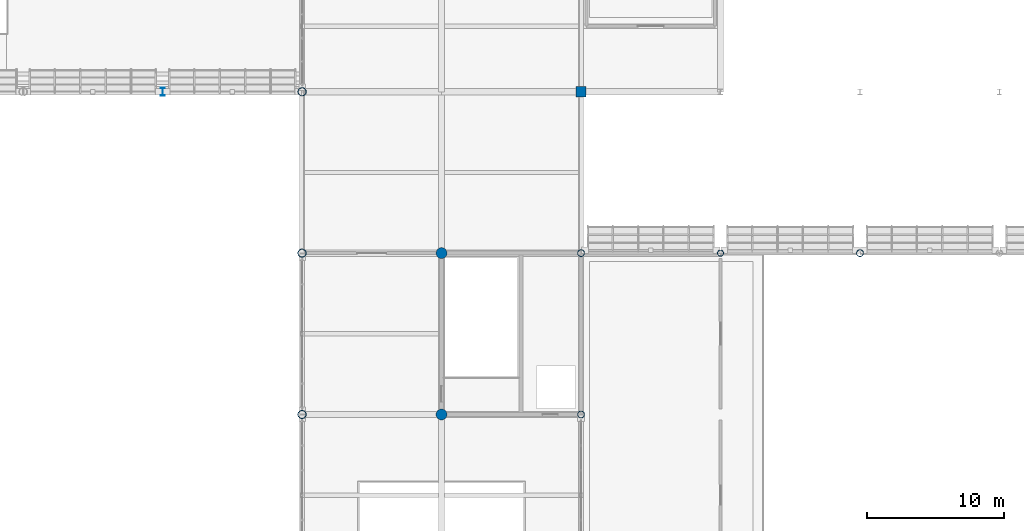
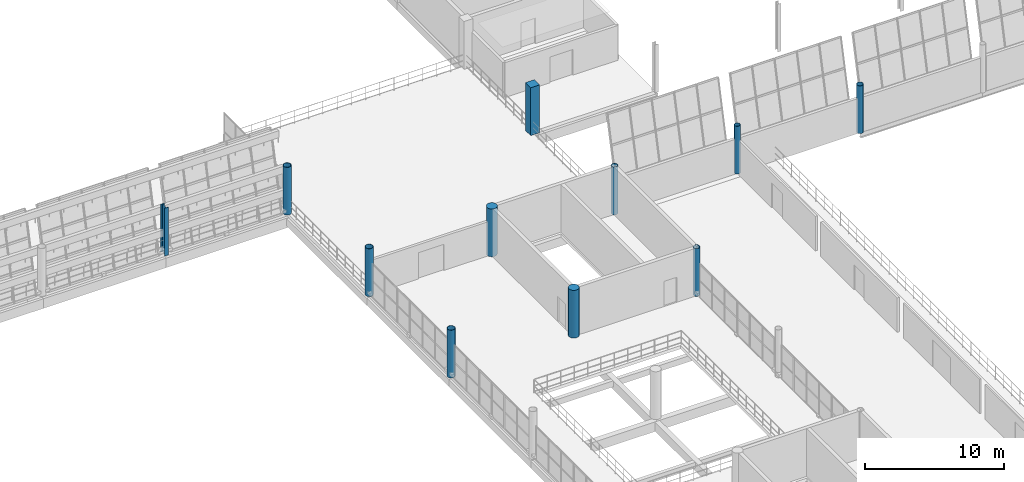
# One storey, part 13 of 157: 11 columns.
"""IFC4 building model written with IfcOpenShell, lengths in metres."""

import ifcopenshell
import ifcopenshell.guid

model = None  # the IFC model being written
_history = None  # IfcOwnerHistory: only IFC2X3 demands one
_inside = {}  # id of a spatial element -> (the spatial element, [elements in it])
_under = {}  # id of a project, library or spatial element -> (it, [spatial elements below it])
_declared = {}  # id of a project -> (the project, [libraries it declares])
_typed = {}  # id of a type object -> (the type object, [elements of that type])
_made_of = {}  # id of a material, layer set ... -> (it, [elements and type objects made of it])


def new_model(schema):
    """Start an empty IFC model of exactly this schema.

    Asked for "IFC4X3", IfcOpenShell would pick the latest addendum, in which some entities
    have other attributes; the version numbers below select the first issue.
    IFC2X3 requires an IfcOwnerHistory on every rooted entity: one is made here for all.
    """
    global model, _history
    if schema == "IFC4X3":
        model = ifcopenshell.file(schema_version=(4, 3, 0, 0))
    else:
        model = ifcopenshell.file(schema=schema)
    _inside.clear()
    _under.clear()
    _declared.clear()
    _typed.clear()
    _made_of.clear()
    _history = None
    if model.schema == "IFC2X3":
        org = make("IfcOrganization", Name="unknown")
        user = make(
            "IfcPersonAndOrganization",
            ThePerson=make("IfcPerson", FamilyName="unknown"),
            TheOrganization=org,
        )
        app = make(
            "IfcApplication",
            ApplicationDeveloper=org,
            Version="unknown",
            ApplicationFullName="unknown",
            ApplicationIdentifier="unknown",
        )
        _history = make(
            "IfcOwnerHistory",
            OwningUser=user,
            OwningApplication=app,
            ChangeAction="ADDED",
            CreationDate=0,
        )
    return model


def make(cls, **values):
    """One entity of the class cls with the attributes given. An attribute that is None is left unset."""
    return model.create_entity(
        cls, **{name: value for name, value in values.items() if value is not None}
    )


def rooted(cls, **values):
    """An entity with a GlobalId (a new one), such as an element, a storey or a relation."""
    return make(cls, GlobalId=ifcopenshell.guid.new(), OwnerHistory=_history, **values)


def si_unit(unit_type, name, prefix=None):
    """IfcSIUnit, for example si_unit("LENGTHUNIT", "METRE", prefix="MILLI")."""
    return make("IfcSIUnit", UnitType=unit_type, Prefix=prefix, Name=name)


def assignment(units):
    """IfcUnitAssignment: the units of a project."""
    return None if units is None else make("IfcUnitAssignment", Units=units)


def point(xyz):
    """IfcCartesianPoint."""
    return None if xyz is None else make("IfcCartesianPoint", Coordinates=xyz)


def direction(xyz):
    """IfcDirection."""
    return None if xyz is None else make("IfcDirection", DirectionRatios=xyz)


def frame(location, z_axis=None, x_axis=None):
    """IfcAxis2Placement3D, a coordinate frame: its origin and axes. An axis left out is left unset."""
    return make(
        "IfcAxis2Placement3D",
        Location=point(location),
        Axis=direction(z_axis),
        RefDirection=direction(x_axis),
    )


def frame_2d(location, x_axis=None):
    """IfcAxis2Placement2D, a coordinate frame in the plane: its origin and x axis."""
    return make(
        "IfcAxis2Placement2D", Location=point(location), RefDirection=direction(x_axis)
    )


def origin():
    """The frame at (0, 0, 0) with its axes left unset."""
    return frame((0.0, 0.0, 0.0))


def origin_2d():
    """The frame at (0, 0) in the plane with its x axis left unset."""
    return frame_2d((0.0, 0.0))


def place(relative_to, where):
    """IfcLocalPlacement: puts the frame where relative to a parent placement (None: the world)."""
    return make(
        "IfcLocalPlacement", PlacementRelTo=relative_to, RelativePlacement=where
    )


def context(
    kind, dimensions, precision=None, world=None, true_north=None, identifier=None
):
    """IfcGeometricRepresentationContext, for example the 3D "Model" context."""
    return make(
        "IfcGeometricRepresentationContext",
        ContextIdentifier=identifier,
        ContextType=kind,
        CoordinateSpaceDimension=dimensions,
        Precision=precision,
        WorldCoordinateSystem=world,
        TrueNorth=true_north,
    )


def subcontext(parent, identifier, kind, view, scale=None):
    """IfcGeometricRepresentationSubContext, for example "Body" below "Model"."""
    return make(
        "IfcGeometricRepresentationSubContext",
        ContextIdentifier=identifier,
        ContextType=kind,
        ParentContext=parent,
        TargetScale=scale,
        TargetView=view,
    )


def project(units=None, contexts=None):
    """IfcProject with its units and contexts."""
    return rooted(
        "IfcProject",
        Name="project",
        RepresentationContexts=contexts,
        UnitsInContext=assignment(units),
    )


def spatial(cls, under=None, at=None, **own):
    """A site, building, storey or space (cls), placed at a placement, below another one or the project."""
    s = rooted(cls, ObjectPlacement=at, **own)
    if under is not None:
        _under.setdefault(under.id(), (under, []))[1].append(s)
    return s


def profile(cls, at=None, kind="AREA", **sizes):
    """A parametric profile (cls). Its sizes go by their IFC names, for example OverallWidth=200.0."""
    return make(cls, ProfileType=kind, Position=at, **sizes)


def rectangle(**sizes):
    """IfcRectangleProfileDef."""
    return profile("IfcRectangleProfileDef", **sizes)


def circle(**sizes):
    """IfcCircleProfileDef."""
    return profile("IfcCircleProfileDef", **sizes)


def hollow_circle(**sizes):
    """IfcCircleHollowProfileDef."""
    return profile("IfcCircleHollowProfileDef", **sizes)


def i_section(**sizes):
    """IfcIShapeProfileDef."""
    return profile("IfcIShapeProfileDef", **sizes)


def extrude(swept, where, along, depth):
    """IfcExtrudedAreaSolid: the profile swept, set in the frame where, extruded along a direction by depth."""
    return make(
        "IfcExtrudedAreaSolid",
        SweptArea=swept,
        Position=where,
        ExtrudedDirection=direction(along),
        Depth=depth,
    )


def shape(context_of_items, identifier, shape_type, items):
    """IfcShapeRepresentation: the items that make up one representation, for example the "Body"."""
    return make(
        "IfcShapeRepresentation",
        ContextOfItems=context_of_items,
        RepresentationIdentifier=identifier,
        RepresentationType=shape_type,
        Items=items,
    )


def material(Name=None, Category=None):
    """IfcMaterial."""
    return make("IfcMaterial", Name=Name, Category=Category)


def material_profile(
    of_material, cross_section, Name=None, Category=None, Priority=None
):
    """IfcMaterialProfile: a cross section and its material."""
    return make(
        "IfcMaterialProfile",
        Name=Name,
        Material=of_material,
        Profile=cross_section,
        Priority=Priority,
        Category=Category,
    )


def profile_set(profiles, Name=None, composite=None):
    """IfcMaterialProfileSet."""
    return make(
        "IfcMaterialProfileSet",
        Name=Name,
        MaterialProfiles=profiles,
        CompositeProfile=composite,
    )


def made_of(thing, what):
    """Note that an element or type object is made of a material, layer set ...; save() writes the relation."""
    if what is not None:
        _made_of.setdefault(what.id(), (what, []))[1].append(thing)
    return thing


def type_object(cls, material=None, **own):
    """A type object (cls), such as IfcWallType, which elements share."""
    return made_of(rooted(cls, **own), material)


def element(
    cls,
    number,
    at=None,
    inside=None,
    cuts=None,
    type_object=None,
    material=None,
    context=None,
    identifier="Body",
    shape_type=None,
    held_by="IfcProductDefinitionShape",
    body=None,
    shapes=None,
    **own,
):
    """One element of the class cls, such as IfcWall. Its Tag is "e" and its number.

    at: its placement. inside: the storey or other place that contains it. cuts: it is an
    opening in that element (IfcRelVoidsElement). A single representation is given by context,
    identifier, shape_type and body (its items); several are given by shapes. held_by: the class
    of the entity that holds the representations. save() writes the other relations.
    """
    e = rooted(cls, Tag="e%d" % number, ObjectPlacement=at, **own)
    if body is not None:
        shapes = [shape(context, identifier, shape_type, body)]
    if shapes is not None:
        e.Representation = make(held_by, Representations=shapes)
    if inside is not None:
        _inside.setdefault(inside.id(), (inside, []))[1].append(e)
    if cuts is not None:
        rooted(
            "IfcRelVoidsElement", RelatingBuildingElement=cuts, RelatedOpeningElement=e
        )
    if type_object is not None:
        _typed.setdefault(type_object.id(), (type_object, []))[1].append(e)
    return made_of(e, material)


def aggregate(whole, parts):
    """IfcRelAggregates: a whole, such as a stair, and the parts it consists of."""
    return rooted("IfcRelAggregates", RelatingObject=whole, RelatedObjects=parts)


def save(model, path):
    """Write the relations noted so far, then the file.

    IfcRelAggregates (storeys below a building ...), IfcRelContainedInSpatialStructure (elements
    in a storey), IfcRelDefinesByType, IfcRelAssociatesMaterial and IfcRelDeclares: one each for
    every whole, place, type object, material and project.
    """
    for whole, parts in _under.values():
        aggregate(whole, parts)
    for where, things in _inside.values():
        rooted(
            "IfcRelContainedInSpatialStructure",
            RelatedElements=things,
            RelatingStructure=where,
        )
    for kind, things in _typed.values():
        rooted("IfcRelDefinesByType", RelatedObjects=things, RelatingType=kind)
    for what, things in _made_of.values():
        rooted("IfcRelAssociatesMaterial", RelatedObjects=things, RelatingMaterial=what)
    for by, libraries in _declared.values():
        rooted("IfcRelDeclares", RelatingContext=by, RelatedDefinitions=libraries)
    model.write(path)


model = new_model("IFC4")

# Units and contexts
model_context = context("Model", 3, precision=1e-05, world=origin(), true_north=direction((0.0, 1.0)))
body_context = subcontext(model_context, "Body", "Model", "MODEL_VIEW")
ifc_project = project(units=[si_unit("LENGTHUNIT", "METRE"), si_unit("AREAUNIT", "SQUARE_METRE"), si_unit("VOLUMEUNIT", "CUBIC_METRE"), si_unit("PLANEANGLEUNIT", "RADIAN"), si_unit("MASSUNIT", "GRAM", prefix="KILO")], contexts=[model_context])

# Site, building, storey
site_placement = place(None, origin())
site = spatial("IfcSite", under=ifc_project, at=site_placement, CompositionType="ELEMENT")
building_placement = place(site_placement, origin())
building = spatial("IfcBuilding", under=site, at=building_placement, Name="Brelvane Convention Centre", CompositionType="ELEMENT")
storey_placement = place(building_placement, frame((0.0, 0.0, 10.800048828125)))
storey = spatial("IfcBuildingStorey", under=building, at=storey_placement, Name="L02", CompositionType="ELEMENT", Elevation=10.800048828125)

# Columns
ifc_material_1 = material(Name="Concrete M50", Category="concrete")
ifc_material_profile_1 = material_profile(ifc_material_1, rectangle(XDim=0.75, YDim=0.75, at=origin_2d()), Name="RC 750x750")
ifc_profile_set_1 = profile_set([ifc_material_profile_1], Name="Concrete M50")
column_type_1 = type_object("IfcColumnType", Name="RC Column C-RC3 (RC 750x750)", PredefinedType="COLUMN", material=ifc_profile_set_1)
column_1_placement = place(storey_placement, frame((163.199951171875, 99.60009765625, 0.0), z_axis=(0.0, 0.0, 1.0), x_axis=(1.0, 0.0, 0.0)))
element("IfcColumn", 1, at=column_1_placement, inside=storey, type_object=column_type_1, Name="Column 17-K (L02)", PredefinedType="COLUMN", context=body_context, shape_type="SweptSolid", body=[
    extrude(rectangle(XDim=0.75, YDim=0.75, at=origin_2d()), origin(), (0.0, 0.0, 1.0), 4.199951171875),
])
ifc_material_2 = material(Name="Concrete M50", Category="concrete")
ifc_material_profile_2 = material_profile(ifc_material_2, circle(Radius=0.39990234375, at=origin_2d()), Name="RC-CIRC D800")
ifc_profile_set_2 = profile_set([ifc_material_profile_2], Name="Concrete M50")
column_type_2 = type_object("IfcColumnType", Name="RC Column C-RC7 (RC-CIRC D800)", PredefinedType="COLUMN", material=ifc_profile_set_2)
for number, where, z_axis, x_axis, name in (
    (2, (153.0, 76.0, 0.0), (0.0, 0.0, 1.0), (1.0, 0.0, 0.0), "Column 16-H (L02)"),
    (3, (153.0, 87.800048828125, 0.0), (0.0, 0.0, 1.0), (1.0, 0.0, 0.0), "Column 16-J (L02)"),
):
    element("IfcColumn", number, at=place(storey_placement, frame(where, z_axis=z_axis, x_axis=x_axis)), inside=storey, type_object=column_type_2, Name=name, PredefinedType="COLUMN", context=body_context, shape_type="SweptSolid", body=[
        extrude(circle(Radius=0.39990234375, at=origin_2d()), origin(), (0.0, 0.0, 1.0), 4.199951171875),
    ])
ifc_material_3 = material(Name="Steel E450 (450 MPa)", Category="steel")
ifc_material_profile_3 = material_profile(ifc_material_3, hollow_circle(Radius=0.304931640625, WallThickness=0.02490234375, at=origin_2d()), Name="CHS 610.0x25.0")
ifc_profile_set_3 = profile_set([ifc_material_profile_3], Name="Steel E450 (450 MPa)")
column_type_3 = type_object("IfcColumnType", Name="Steel Column C-ST1 (CHS 610.0x25.0)", PredefinedType="COLUMN", material=ifc_profile_set_3)
for number, where, z_axis, x_axis, name in (
    (4, (142.800048828125, 76.0, 0.0), (0.0, 0.0, 1.0), (1.0, 0.0, 0.0), "Column 15-H (L02)"),
    (5, (142.800048828125, 87.800048828125, 0.0), (0.0, 0.0, 1.0), (1.0, 0.0, 0.0), "Column 15-J (L02)"),
    (6, (142.800048828125, 99.60009765625, 0.0), (0.0, 0.0, 1.0), (1.0, 0.0, 0.0), "Column 15-K (L02)"),
):
    element("IfcColumn", number, at=place(storey_placement, frame(where, z_axis=z_axis, x_axis=x_axis)), inside=storey, type_object=column_type_3, Name=name, PredefinedType="COLUMN", context=body_context, shape_type="SweptSolid", body=[
        extrude(hollow_circle(Radius=0.304931640625, WallThickness=0.02490234375, at=origin_2d()), origin(), (0.0, 0.0, 1.0), 4.199951171875),
    ])
ifc_material_4 = material(Name="Steel E450 (450 MPa)", Category="steel")
ifc_material_profile_4 = material_profile(ifc_material_4, hollow_circle(Radius=0.25390625, WallThickness=0.02001953125, at=origin_2d()), Name="CHS 508.0x20.0")
ifc_profile_set_4 = profile_set([ifc_material_profile_4], Name="Steel E450 (450 MPa)")
column_type_4 = type_object("IfcColumnType", Name="Steel Column C-ST2 (CHS 508.0x20.0)", PredefinedType="COLUMN", material=ifc_profile_set_4)
for number, where, z_axis, x_axis, name in (
    (7, (163.199951171875, 76.0, 0.0), (0.0, 0.0, 1.0), (1.0, 0.0, 0.0), "Column 17-H (L02)"),
    (8, (163.199951171875, 87.800048828125, 0.0), (0.0, 0.0, 1.0), (1.0, 0.0, 0.0), "Column 17-J (L02)"),
    (9, (183.60009765625, 87.800048828125, 0.0), (0.0, 0.0, 1.0), (1.0, 0.0, 0.0), "Column 19-J (L02)"),
):
    element("IfcColumn", number, at=place(storey_placement, frame(where, z_axis=z_axis, x_axis=x_axis)), inside=storey, type_object=column_type_4, Name=name, PredefinedType="COLUMN", context=body_context, shape_type="SweptSolid", body=[
        extrude(hollow_circle(Radius=0.25390625, WallThickness=0.02001953125, at=origin_2d()), origin(), (0.0, 0.0, 1.0), 4.199951171875),
    ])
ifc_material_5 = material(Name="Steel E450 (450 MPa)", Category="steel")
ifc_material_profile_5 = material_profile(ifc_material_5, hollow_circle(Radius=0.228515625, WallThickness=0.02001953125, at=origin_2d()), Name="CHS 457.0x20.0")
ifc_profile_set_5 = profile_set([ifc_material_profile_5], Name="Steel E450 (450 MPa)")
column_type_5 = type_object("IfcColumnType", Name="Steel Column C-ST3 (CHS 457.0x20.0)", PredefinedType="COLUMN", material=ifc_profile_set_5)
column_2_placement = place(storey_placement, frame((173.39990234375, 87.800048828125, 0.0), z_axis=(0.0, 0.0, 1.0), x_axis=(1.0, 0.0, 0.0)))
element("IfcColumn", 10, at=column_2_placement, inside=storey, type_object=column_type_5, Name="Column 18-J (L02)", PredefinedType="COLUMN", context=body_context, shape_type="SweptSolid", body=[
    extrude(hollow_circle(Radius=0.228515625, WallThickness=0.02001953125, at=origin_2d()), origin(), (0.0, 0.0, 1.0), 4.199951171875),
])
ifc_material_6 = material(Name="Steel E450 (450 MPa)", Category="steel")
ifc_material_profile_6 = material_profile(ifc_material_6, i_section(OverallWidth=0.300048828125, OverallDepth=0.60009765625, WebThickness=0.015380859375, FlangeThickness=0.030029296875, FilletRadius=0.027099609375, at=origin_2d()), Name="WPB 600x300")
ifc_profile_set_6 = profile_set([ifc_material_profile_6], Name="Steel E450 (450 MPa)")
column_type_6 = type_object("IfcColumnType", Name="Steel Column C-ST5 (WPB 600x300)", PredefinedType="COLUMN", material=ifc_profile_set_6)
column_3_placement = place(storey_placement, frame((132.60009765625, 99.60009765625, 0.0), z_axis=(0.0, 0.0, 1.0), x_axis=(1.0, 0.0, 0.0)))
element("IfcColumn", 11, at=column_3_placement, inside=storey, type_object=column_type_6, Name="Column 14-K (L02)", PredefinedType="COLUMN", context=body_context, shape_type="SweptSolid", body=[
    extrude(i_section(OverallWidth=0.300048828125, OverallDepth=0.60009765625, WebThickness=0.015380859375, FlangeThickness=0.030029296875, FilletRadius=0.027099609375, at=origin_2d()), origin(), (0.0, 0.0, 1.0), 4.199951171875),
])

save(model, "model.ifc")
